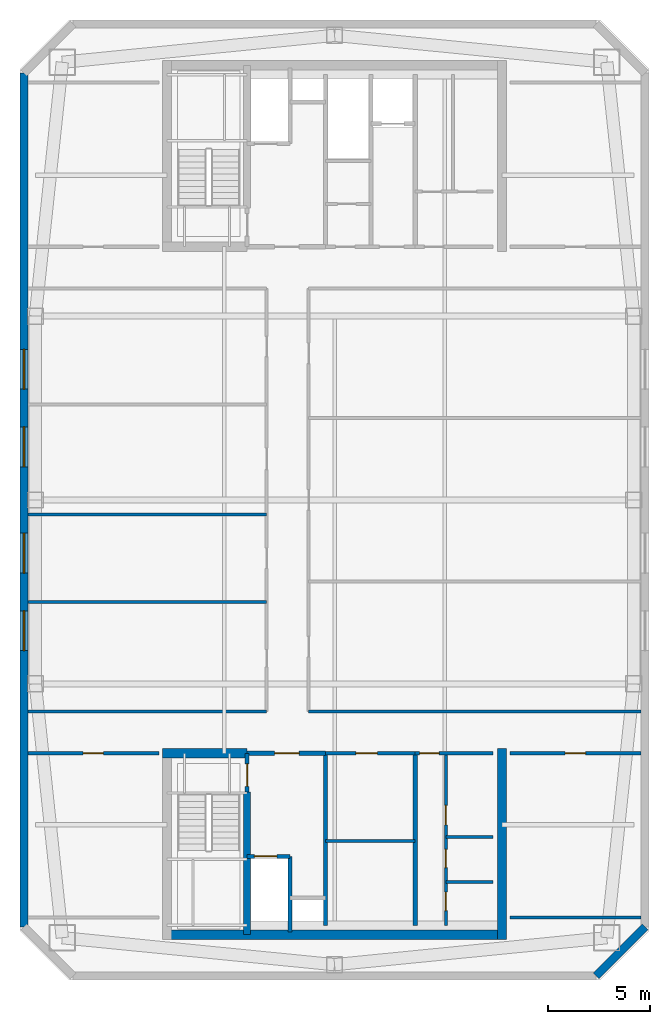
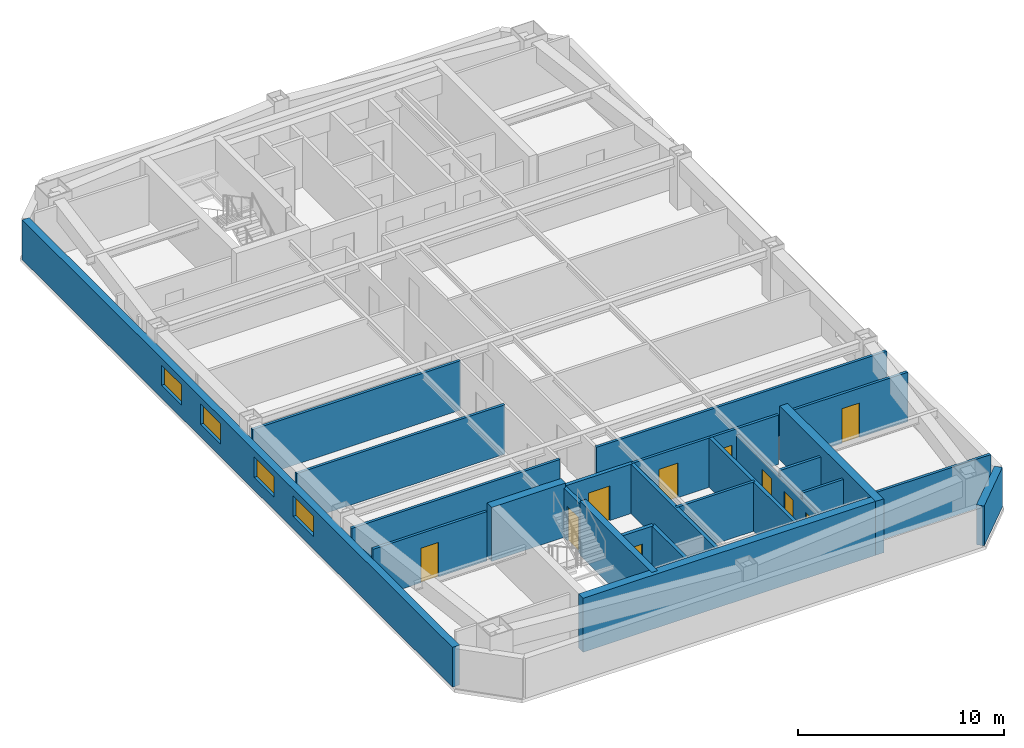
# One storey, part 2 of 5: 25 walls, 10 doors, 4 windows, 14 openings.
"""IFC4 building model written with IfcOpenShell, lengths in metres."""

from ifc_helpers import new_model, si_unit, direction, frame, frame_2d, origin, place, context, subcontext, project, spatial, rectangle, extrude, material, layer, layer_set, type_object, element, fill, save


model = new_model("IFC4")

# Units and contexts
model_context = context("Model", 3, precision=1e-05, world=origin(), true_north=direction((0.0, 1.0)))
body_context = subcontext(model_context, "Body", "Model", "MODEL_VIEW")
ifc_project = project(units=[si_unit("LENGTHUNIT", "METRE"), si_unit("AREAUNIT", "SQUARE_METRE"), si_unit("VOLUMEUNIT", "CUBIC_METRE"), si_unit("PLANEANGLEUNIT", "RADIAN"), si_unit("MASSUNIT", "GRAM", prefix="KILO")], contexts=[model_context])

# Site, building, storey
site_placement = place(None, origin())
site = spatial("IfcSite", under=ifc_project, at=site_placement, CompositionType="ELEMENT")
building_placement = place(site_placement, origin())
building = spatial("IfcBuilding", under=site, at=building_placement, Name="Qiaolan Cultural Towers", CompositionType="ELEMENT")
storey_placement = place(building_placement, frame((0.0, 0.0, 272.800048828125)))
storey = spatial("IfcBuildingStorey", under=building, at=storey_placement, Name="L75", CompositionType="ELEMENT", Elevation=272.800048828125)

# Walls
ifc_material_1 = material(Name="Concrete C50", Category="concrete")
ifc_layer_1 = layer(ifc_material_1, 0.35009765625)
ifc_layer_set_1 = layer_set([ifc_layer_1], Name="Concrete C50")
wall_type_1 = type_object("IfcWallType", Name="WL-CORE-350", PredefinedType="SHEAR", material=ifc_layer_set_1)
wall_1_placement = place(storey_placement, frame((25.719970703125, 19.699951171875, 0.0), z_axis=(0.0, 0.0, 1.0), x_axis=(0.0, -1.0, 0.0)))
element("IfcWall", 1, at=wall_1_placement, inside=storey, type_object=wall_type_1, Name="L75 T1-CS Stair Core Dividing Web", PredefinedType="SHEAR", context=body_context, shape_type="SweptSolid", body=[
    extrude(rectangle(XDim=6.97998046875, YDim=0.35009765625, at=frame_2d((3.489990234375, 0.0))), origin(), (0.0, 0.0, 1.0), 3.199951171875),
])
ifc_material_2 = material(Name="Concrete C50", Category="concrete")
ifc_layer_2 = layer(ifc_material_2, 0.449951171875)
ifc_layer_set_2 = layer_set([ifc_layer_2], Name="Concrete C50")
wall_type_2 = type_object("IfcWallType", Name="WL-CORE-450", PredefinedType="SHEAR", material=ifc_layer_set_2)
wall_2_placement = place(storey_placement, frame((21.574951171875, 12.719970703125, 0.0), z_axis=(0.0, 0.0, 1.0), x_axis=(1.0, 0.0, 0.0)))
element("IfcWall", 2, at=wall_2_placement, inside=storey, type_object=wall_type_2, Name="L75 T1-CS Outer Core Shear Wall", PredefinedType="SHEAR", context=body_context, shape_type="SweptSolid", body=[
    extrude(rectangle(XDim=16.85009765625, YDim=0.449951171875, at=frame_2d((8.425048828125, 0.0))), origin(), (0.0, 0.0, 1.0), 3.199951171875),
])
wall_3_placement = place(storey_placement, frame((38.199951171875, 21.824951171875, 0.0), z_axis=(0.0, 0.0, 1.0), x_axis=(0.0, -1.0, 0.0)))
element("IfcWall", 3, at=wall_3_placement, inside=storey, type_object=wall_type_2, Name="L75 T1-CS East Core Shear Wall", PredefinedType="SHEAR", context=body_context, shape_type="SweptSolid", body=[
    extrude(rectangle(XDim=9.329833984375, YDim=0.449951171875, at=frame_2d((4.6650390625, 0.0))), origin(), (0.0, 0.0, 1.0), 3.199951171875),
])
wall_4_placement = place(storey_placement, frame((21.574951171875, 21.60009765625, 0.0), z_axis=(0.0, 0.0, 1.0), x_axis=(1.0, 0.0, 0.0)))
element("IfcWall", 4, at=wall_4_placement, inside=storey, type_object=wall_type_2, Name="L75 T1-CS Stair Front Shear Wall", PredefinedType="SHEAR", context=body_context, shape_type="SweptSolid", body=[
    extrude(rectangle(XDim=4.14501953125, YDim=0.449951171875, at=frame_2d((2.072509765625, 0.0))), origin(), (0.0, 0.0, 1.0), 3.199951171875),
])

# Wall, openings, windows
ifc_material_3 = material(Name="Precast Concrete C50 Honed Stone Pier", Category="masonry")
ifc_layer_3 = layer(ifc_material_3, 0.39990234375)
ifc_layer_set_3 = layer_set([ifc_layer_3], Name="Precast Concrete C50 Honed Stone Pier")
wall_type_3 = type_object("IfcWallType", Name="WL-EXT-PIER-400", PredefinedType="SOLIDWALL", material=ifc_layer_set_3)
wall_5_placement = place(storey_placement, frame((14.800048828125, 13.10009765625, 0.0), z_axis=(0.0, 0.0, 1.0), x_axis=(0.0, 1.0, 0.0)))
wall_5 = element("IfcWall", 5, at=wall_5_placement, inside=storey, type_object=wall_type_3, Name="L75 West Tower Precast Pier Facade Wall F1", PredefinedType="SOLIDWALL", context=body_context, shape_type="SweptSolid", body=[
    extrude(rectangle(XDim=41.7998046875, YDim=0.39990234375, at=frame_2d((20.89990234375, 0.0))), origin(), (0.0, 0.0, 1.0), 2.35986328125),
])
opening_1_placement = place(wall_5_placement, frame((13.52490234375, 0.0, 0.75)))
opening_1 = element("IfcOpeningElement", 6, at=opening_1_placement, cuts=wall_5, Name="Opening W-06", PredefinedType="OPENING", context=body_context, shape_type="SweptSolid", body=[
    extrude(rectangle(XDim=1.949951171875, YDim=1.2099609375, at=frame_2d((0.97509765625, 0.60498046875))), frame((0.0, 0.2099609375, 0.0), z_axis=(0.0, -1.0, 0.0), x_axis=(1.0, 0.0, 0.0)), (0.0, 0.0, 1.0), 0.419921875),
])
opening_2_placement = place(wall_5_placement, frame((17.324951171875, 0.0, 0.75)))
opening_2 = element("IfcOpeningElement", 7, at=opening_2_placement, cuts=wall_5, Name="Opening W-06", PredefinedType="OPENING", context=body_context, shape_type="SweptSolid", body=[
    extrude(rectangle(XDim=1.949951171875, YDim=1.2099609375, at=frame_2d((0.97509765625, 0.60498046875))), frame((0.0, 0.2099609375, 0.0), z_axis=(0.0, -1.0, 0.0), x_axis=(1.0, 0.0, 0.0)), (0.0, 0.0, 1.0), 0.419921875),
])
opening_3_placement = place(wall_5_placement, frame((22.52490234375, 0.0, 0.75)))
opening_3 = element("IfcOpeningElement", 8, at=opening_3_placement, cuts=wall_5, Name="Opening W-06", PredefinedType="OPENING", context=body_context, shape_type="SweptSolid", body=[
    extrude(rectangle(XDim=1.949951171875, YDim=1.2099609375, at=frame_2d((0.97509765625, 0.60498046875))), frame((0.0, 0.2099609375, 0.0), z_axis=(0.0, -1.0, 0.0), x_axis=(1.0, 0.0, 0.0)), (0.0, 0.0, 1.0), 0.419921875),
])
opening_4_placement = place(wall_5_placement, frame((26.324951171875, 0.0, 0.75)))
opening_4 = element("IfcOpeningElement", 9, at=opening_4_placement, cuts=wall_5, Name="Opening W-06", PredefinedType="OPENING", context=body_context, shape_type="SweptSolid", body=[
    extrude(rectangle(XDim=1.949951171875, YDim=1.2099609375, at=frame_2d((0.97509765625, 0.60498046875))), frame((0.0, 0.2099609375, 0.0), z_axis=(0.0, -1.0, 0.0), x_axis=(1.0, 0.0, 0.0)), (0.0, 0.0, 1.0), 0.419921875),
])
ifc_material_4 = material(Name="Thermally Broken Aluminium Triple Low-E Glazing", Category="aluminium")
window_type = type_object("IfcWindowType", Name="WN-CHIC-1950", PartitioningType="SINGLE_PANEL", PredefinedType="WINDOW", material=ifc_material_4)
window_1_placement = place(opening_1_placement, origin())
window_1 = element("IfcWindow", 10, at=window_1_placement, inside=storey, type_object=window_type, Name="L75 T1 W Chicago Bay Window 1", OverallHeight=1.2099609375, OverallWidth=1.949951171875, PartitioningType="TRIPLE_PANEL_VERTICAL", PredefinedType="WINDOW", context=body_context, shape_type="SweptSolid", body=[
    extrude(rectangle(XDim=1.949951171875, YDim=1.2099609375, at=frame_2d((0.97509765625, 0.60498046875))), frame((0.0, 0.030029296875, 0.0), z_axis=(0.0, -1.0, 0.0), x_axis=(1.0, 0.0, 0.0)), (0.0, 0.0, 1.0), 0.06005859375),
])
fill(opening_1, window_1)
window_2_placement = place(opening_2_placement, origin())
window_2 = element("IfcWindow", 11, at=window_2_placement, inside=storey, type_object=window_type, Name="L75 T1 W Chicago Bay Window 2", OverallHeight=1.2099609375, OverallWidth=1.949951171875, PartitioningType="TRIPLE_PANEL_VERTICAL", PredefinedType="WINDOW", context=body_context, shape_type="SweptSolid", body=[
    extrude(rectangle(XDim=1.949951171875, YDim=1.2099609375, at=frame_2d((0.97509765625, 0.60498046875))), frame((0.0, 0.030029296875, 0.0), z_axis=(0.0, -1.0, 0.0), x_axis=(1.0, 0.0, 0.0)), (0.0, 0.0, 1.0), 0.06005859375),
])
fill(opening_2, window_2)
window_3_placement = place(opening_3_placement, origin())
window_3 = element("IfcWindow", 12, at=window_3_placement, inside=storey, type_object=window_type, Name="L75 T1 W Chicago Bay Window 3", OverallHeight=1.2099609375, OverallWidth=1.949951171875, PartitioningType="TRIPLE_PANEL_VERTICAL", PredefinedType="WINDOW", context=body_context, shape_type="SweptSolid", body=[
    extrude(rectangle(XDim=1.949951171875, YDim=1.2099609375, at=frame_2d((0.97509765625, 0.60498046875))), frame((0.0, 0.030029296875, 0.0), z_axis=(0.0, -1.0, 0.0), x_axis=(1.0, 0.0, 0.0)), (0.0, 0.0, 1.0), 0.06005859375),
])
fill(opening_3, window_3)
window_4_placement = place(opening_4_placement, origin())
window_4 = element("IfcWindow", 13, at=window_4_placement, inside=storey, type_object=window_type, Name="L75 T1 W Chicago Bay Window 4", OverallHeight=1.2099609375, OverallWidth=1.949951171875, PartitioningType="TRIPLE_PANEL_VERTICAL", PredefinedType="WINDOW", context=body_context, shape_type="SweptSolid", body=[
    extrude(rectangle(XDim=1.949951171875, YDim=1.2099609375, at=frame_2d((0.97509765625, 0.60498046875))), frame((0.0, 0.030029296875, 0.0), z_axis=(0.0, -1.0, 0.0), x_axis=(1.0, 0.0, 0.0)), (0.0, 0.0, 1.0), 0.06005859375),
])
fill(opening_4, window_4)

# Wall
wall_6_placement = place(storey_placement, frame((45.199951171875, 13.10009765625, 0.0), z_axis=(0.0, 0.0, 1.0), x_axis=(-0.707070815327, -0.707142745217, 0.0)))
element("IfcWall", 14, at=wall_6_placement, inside=storey, type_object=wall_type_3, Name="L75 West Tower Precast Pier Facade Wall F6", PredefinedType="SOLIDWALL", context=body_context, shape_type="SweptSolid", body=[
    extrude(rectangle(XDim=3.39404296875, YDim=0.39990234375, at=frame_2d((1.697021484375, 0.0))), origin(), (0.0, 0.0, 1.0), 2.35986328125),
])

# Wall, opening, door
ifc_material_5 = material(Name="Concrete C35 Fire Wall", Category="concrete")
ifc_layer_4 = layer(ifc_material_5, 0.199951171875)
ifc_layer_set_4 = layer_set([ifc_layer_4], Name="Concrete C35 Fire Wall")
wall_type_4 = type_object("IfcWallType", Name="WL-FIRE-200", PredefinedType="PARTITIONING", material=ifc_layer_set_4)
wall_7_placement = place(storey_placement, frame((25.719970703125, 21.60009765625, 0.0), z_axis=(0.0, 0.0, 1.0), x_axis=(0.0, -1.0, 0.0)))
wall_7 = element("IfcWall", 15, at=wall_7_placement, inside=storey, type_object=wall_type_4, Name="L75 T1-CS Smokeproof Stair Entry Wall", PredefinedType="PARTITIONING", context=body_context, shape_type="SweptSolid", body=[
    extrude(rectangle(XDim=1.900146484375, YDim=0.199951171875, at=frame_2d((0.9501953125, 0.0))), origin(), (0.0, 0.0, 1.0), 2.925048828125),
])
opening_5_placement = place(wall_7_placement, frame((0.52001953125, 0.0, 0.0)))
opening_5 = element("IfcOpeningElement", 16, at=opening_5_placement, cuts=wall_7, Name="Opening FD-04", PredefinedType="OPENING", context=body_context, shape_type="SweptSolid", body=[
    extrude(rectangle(XDim=1.10009765625, YDim=2.050048828125, at=frame_2d((0.550048828125, 1.02490234375))), frame((0.0, 0.10986328125, 0.0), z_axis=(0.0, -1.0, 0.0), x_axis=(1.0, 0.0, 0.0)), (0.0, 0.0, 1.0), 0.219970703125),
])
ifc_material_6 = material(Name="Galvanized Steel Command Fire Door", Category="steel")
door_type_1 = type_object("IfcDoorType", Name="DR-FD90-1100", OperationType="NOTDEFINED", PredefinedType="DOOR", material=ifc_material_6)
door_1_placement = place(opening_5_placement, origin())
door_1 = element("IfcDoor", 17, at=door_1_placement, inside=storey, type_object=door_type_1, Name="L75 ST-W1 Smokeproof Stair Fire Door", OperationType="SINGLE_SWING_LEFT", OverallHeight=2.050048828125, OverallWidth=1.10009765625, PredefinedType="DOOR", context=body_context, shape_type="SweptSolid", body=[
    extrude(rectangle(XDim=1.10009765625, YDim=2.050048828125, at=frame_2d((0.550048828125, 1.02490234375))), frame((0.0, 0.02490234375, 0.0), z_axis=(0.0, -1.0, 0.0), x_axis=(1.0, 0.0, 0.0)), (0.0, 0.0, 1.0), 0.050048828125),
])
fill(opening_5, door_1)

# Wall
wall_8_placement = place(storey_placement, frame((29.550048828125, 21.60009765625, 0.0), z_axis=(0.0, 0.0, 1.0), x_axis=(0.0, -1.0, 0.0)))
element("IfcWall", 18, at=wall_8_placement, inside=storey, type_object=wall_type_4, Name="L75 T1-CS Firefighting Zone Wall", PredefinedType="PARTITIONING", context=body_context, shape_type="SweptSolid", body=[
    extrude(rectangle(XDim=8.43017578125, YDim=0.199951171875, at=frame_2d((4.215087890625, 0.0))), origin(), (0.0, 0.0, 1.0), 2.925048828125),
])

# Wall, opening, door
wall_9_placement = place(storey_placement, frame((25.719970703125, 21.60009765625, 0.0), z_axis=(0.0, 0.0, 1.0), x_axis=(1.0, 0.0, 0.0)))
wall_9 = element("IfcWall", 19, at=wall_9_placement, inside=storey, type_object=wall_type_4, Name="L75 T1-CS Firefighting Lobby Front Wall", PredefinedType="PARTITIONING", context=body_context, shape_type="SweptSolid", body=[
    extrude(rectangle(XDim=3.830078125, YDim=0.199951171875, at=frame_2d((1.9150390625, 0.0))), origin(), (0.0, 0.0, 1.0), 2.925048828125),
])
opening_6_placement = place(wall_9_placement, frame((1.35009765625, 0.0, 0.0)))
opening_6 = element("IfcOpeningElement", 20, at=opening_6_placement, cuts=wall_9, Name="Opening FD-03", PredefinedType="OPENING", context=body_context, shape_type="SweptSolid", body=[
    extrude(rectangle(XDim=1.199951171875, YDim=2.050048828125, at=frame_2d((0.60009765625, 1.02490234375))), frame((0.0, 0.10986328125, 0.0), z_axis=(0.0, -1.0, 0.0), x_axis=(1.0, 0.0, 0.0)), (0.0, 0.0, 1.0), 0.219970703125),
])
ifc_material_7 = material(Name="Galvanized Steel Smokeproof Lobby Fire Door", Category="steel")
door_type_2 = type_object("IfcDoorType", Name="DR-FD90-1200", OperationType="NOTDEFINED", PredefinedType="DOOR", material=ifc_material_7)
door_2_placement = place(opening_6_placement, origin())
door_2 = element("IfcDoor", 21, at=door_2_placement, inside=storey, type_object=door_type_2, Name="L75 FFL-W1 Firefighting Lobby Fire Door", OperationType="SINGLE_SWING_LEFT", OverallHeight=2.050048828125, OverallWidth=1.199951171875, PredefinedType="DOOR", context=body_context, shape_type="SweptSolid", body=[
    extrude(rectangle(XDim=1.199951171875, YDim=2.050048828125, at=frame_2d((0.60009765625, 1.02490234375))), frame((0.0, 0.02490234375, 0.0), z_axis=(0.0, -1.0, 0.0), x_axis=(1.0, 0.0, 0.0)), (0.0, 0.0, 1.0), 0.050048828125),
])
fill(opening_6, door_2)

wall_10_placement = place(storey_placement, frame((25.719970703125, 16.550048828125, 0.0), z_axis=(0.0, 0.0, 1.0), x_axis=(1.0, 0.0, 0.0)))
wall_10 = element("IfcWall", 22, at=wall_10_placement, inside=storey, type_object=wall_type_4, Name="L75 T1-CS Firefighting Shaft Front Wall", PredefinedType="PARTITIONING", context=body_context, shape_type="SweptSolid", body=[
    extrude(rectangle(XDim=2.10009765625, YDim=0.199951171875, at=frame_2d((1.050048828125, 0.0))), origin(), (0.0, 0.0, 1.0), 2.925048828125),
])
opening_7_placement = place(wall_10_placement, frame((0.35009765625, 0.0, 0.0)))
opening_7 = element("IfcOpeningElement", 23, at=opening_7_placement, cuts=wall_10, Name="Opening LD-01", PredefinedType="OPENING", context=body_context, shape_type="SweptSolid", body=[
    extrude(rectangle(XDim=1.10009765625, YDim=2.050048828125, at=frame_2d((0.550048828125, 1.02490234375))), frame((0.0, 0.10986328125, 0.0), z_axis=(0.0, -1.0, 0.0), x_axis=(1.0, 0.0, 0.0)), (0.0, 0.0, 1.0), 0.219970703125),
])
ifc_material_8 = material(Name="Brushed Stainless Steel S30408 Centre-Parting Lift Landing Door", Category="steel")
door_type_3 = type_object("IfcDoorType", Name="DR-LIFT-1100", OperationType="NOTDEFINED", PredefinedType="DOOR", material=ifc_material_8)
door_3_placement = place(opening_7_placement, origin())
door_3 = element("IfcDoor", 24, at=door_3_placement, inside=storey, type_object=door_type_3, Name="L75 FFL-W1 Firefighting Lift Landing Door", OperationType="DOUBLE_DOOR_SLIDING", OverallHeight=2.050048828125, OverallWidth=1.10009765625, PredefinedType="DOOR", context=body_context, shape_type="SweptSolid", body=[
    extrude(rectangle(XDim=1.10009765625, YDim=2.050048828125, at=frame_2d((0.550048828125, 1.02490234375))), frame((0.0, 0.02490234375, 0.0), z_axis=(0.0, -1.0, 0.0), x_axis=(1.0, 0.0, 0.0)), (0.0, 0.0, 1.0), 0.050048828125),
])
fill(opening_7, door_3)

# Walls
wall_11_placement = place(storey_placement, frame((27.820068359375, 16.550048828125, 0.0), z_axis=(0.0, 0.0, 1.0), x_axis=(0.0, -1.0, 0.0)))
element("IfcWall", 25, at=wall_11_placement, inside=storey, type_object=wall_type_4, Name="L75 T1-CS Firefighting Hoistway East Wall", PredefinedType="PARTITIONING", context=body_context, shape_type="SweptSolid", body=[
    extrude(rectangle(XDim=3.699951171875, YDim=0.199951171875, at=frame_2d((1.85009765625, 0.0))), origin(), (0.0, 0.0, 1.0), 2.925048828125),
])
wall_12_placement = place(storey_placement, frame((33.949951171875, 21.60009765625, 0.0), z_axis=(0.0, 0.0, 1.0), x_axis=(0.0, -1.0, 0.0)))
element("IfcWall", 26, at=wall_12_placement, inside=storey, type_object=wall_type_4, Name="L75 T1-CS Lift Core East Wall", PredefinedType="PARTITIONING", context=body_context, shape_type="SweptSolid", body=[
    extrude(rectangle(XDim=8.43017578125, YDim=0.199951171875, at=frame_2d((4.215087890625, 0.0))), origin(), (0.0, 0.0, 1.0), 2.925048828125),
])

# Wall, opening, door
ifc_material_9 = material(Name="Autoclaved Aerated Concrete Block B06", Category="concrete")
ifc_layer_5 = layer(ifc_material_9, 0.14990234375)
ifc_layer_set_5 = layer_set([ifc_layer_5], Name="Autoclaved Aerated Concrete Block B06")
wall_type_5 = type_object("IfcWallType", Name="WL-PART-150", PredefinedType="PARTITIONING", material=ifc_layer_set_5)
wall_13_placement = place(storey_placement, frame((29.550048828125, 21.60009765625, 0.0), z_axis=(0.0, 0.0, 1.0), x_axis=(1.0, 0.0, 0.0)))
wall_13 = element("IfcWall", 27, at=wall_13_placement, inside=storey, type_object=wall_type_5, Name="L75 T1-CS Reclaimed Core Room Front Wall", PredefinedType="PARTITIONING", context=body_context, shape_type="SweptSolid", body=[
    extrude(rectangle(XDim=4.39990234375, YDim=0.14990234375, at=frame_2d((2.199951171875, 0.0))), origin(), (0.0, 0.0, 1.0), 2.925048828125),
])
opening_8_placement = place(wall_13_placement, frame((1.5, 0.0, 0.0)))
opening_8 = element("IfcOpeningElement", 28, at=opening_8_placement, cuts=wall_13, Name="Opening ID-07", PredefinedType="OPENING", context=body_context, shape_type="SweptSolid", body=[
    extrude(rectangle(XDim=1.050048828125, YDim=2.050048828125, at=frame_2d((0.52490234375, 1.02490234375))), frame((0.0, 0.0849609375, 0.0), z_axis=(0.0, -1.0, 0.0), x_axis=(1.0, 0.0, 0.0)), (0.0, 0.0, 1.0), 0.169921875),
])
ifc_material_10 = material(Name="Oak Veneer Consultation Door", Category="timber")
door_type_4 = type_object("IfcDoorType", Name="DR-INT-1050", OperationType="NOTDEFINED", PredefinedType="DOOR", material=ifc_material_10)
door_4_placement = place(opening_8_placement, origin())
door_4 = element("IfcDoor", 29, at=door_4_placement, inside=storey, type_object=door_type_4, Name="L75 Focus Pod Room Door", OperationType="SINGLE_SWING_LEFT", OverallHeight=2.050048828125, OverallWidth=1.050048828125, PredefinedType="DOOR", context=body_context, shape_type="SweptSolid", body=[
    extrude(rectangle(XDim=1.050048828125, YDim=2.050048828125, at=frame_2d((0.52490234375, 1.02490234375))), frame((0.0, 0.02490234375, 0.0), z_axis=(0.0, -1.0, 0.0), x_axis=(1.0, 0.0, 0.0)), (0.0, 0.0, 1.0), 0.050048828125),
])
fill(opening_8, door_4)

# Wall
wall_14_placement = place(storey_placement, frame((29.550048828125, 17.300048828125, 0.0), z_axis=(0.0, 0.0, 1.0), x_axis=(1.0, 0.0, 0.0)))
element("IfcWall", 30, at=wall_14_placement, inside=storey, type_object=wall_type_5, Name="L75 T1-CS Reclaimed Room Subdivider", PredefinedType="PARTITIONING", context=body_context, shape_type="SweptSolid", body=[
    extrude(rectangle(XDim=4.39990234375, YDim=0.14990234375, at=frame_2d((2.199951171875, 0.0))), origin(), (0.0, 0.0, 1.0), 2.925048828125),
])

# Wall, opening, door
wall_15_placement = place(storey_placement, frame((33.949951171875, 21.60009765625, 0.0), z_axis=(0.0, 0.0, 1.0), x_axis=(1.0, 0.0, 0.0)))
wall_15 = element("IfcWall", 31, at=wall_15_placement, inside=storey, type_object=wall_type_5, Name="L75 T1-CS Sanitary Core Front Wall", PredefinedType="PARTITIONING", context=body_context, shape_type="SweptSolid", body=[
    extrude(rectangle(XDim=3.800048828125, YDim=0.14990234375, at=frame_2d((1.89990234375, 0.0))), origin(), (0.0, 0.0, 1.0), 2.925048828125),
])
opening_9_placement = place(wall_15_placement, frame((0.219970703125, 0.0, 0.0)))
opening_9 = element("IfcOpeningElement", 32, at=opening_9_placement, cuts=wall_15, Name="Opening ID-05", PredefinedType="OPENING", context=body_context, shape_type="SweptSolid", body=[
    extrude(rectangle(XDim=0.949951171875, YDim=2.050048828125, at=frame_2d((0.47509765625, 1.02490234375))), frame((0.0, 0.0849609375, 0.0), z_axis=(0.0, -1.0, 0.0), x_axis=(1.0, 0.0, 0.0)), (0.0, 0.0, 1.0), 0.169921875),
])
ifc_material_11 = material(Name="Fire-Rated Laminate Accessible Core Door", Category="timber")
door_type_5 = type_object("IfcDoorType", Name="DR-INT-950", OperationType="NOTDEFINED", PredefinedType="DOOR", material=ifc_material_11)
door_5_placement = place(opening_9_placement, origin())
door_5 = element("IfcDoor", 33, at=door_5_placement, inside=storey, type_object=door_type_5, Name="L75 Sanitary Vestibule Door", OperationType="SINGLE_SWING_LEFT", OverallHeight=2.050048828125, OverallWidth=0.949951171875, PredefinedType="DOOR", context=body_context, shape_type="SweptSolid", body=[
    extrude(rectangle(XDim=0.949951171875, YDim=2.050048828125, at=frame_2d((0.47509765625, 1.02490234375))), frame((0.0, 0.02490234375, 0.0), z_axis=(0.0, -1.0, 0.0), x_axis=(1.0, 0.0, 0.0)), (0.0, 0.0, 1.0), 0.050048828125),
])
fill(opening_9, door_5)

# Wall, openings, doors
wall_16_placement = place(storey_placement, frame((35.449951171875, 21.60009765625, 0.0), z_axis=(0.0, 0.0, 1.0), x_axis=(0.0, -1.0, 0.0)))
wall_16 = element("IfcWall", 34, at=wall_16_placement, inside=storey, type_object=wall_type_5, Name="L75 T1-CS Sanitary Vestibule Wall", PredefinedType="PARTITIONING", context=body_context, shape_type="SweptSolid", body=[
    extrude(rectangle(XDim=8.43017578125, YDim=0.14990234375, at=frame_2d((4.215087890625, 0.0))), origin(), (0.0, 0.0, 1.0), 2.56494140625),
])
opening_10_placement = place(wall_16_placement, frame((2.550048828125, 0.0, 0.0)))
opening_10 = element("IfcOpeningElement", 35, at=opening_10_placement, cuts=wall_16, Name="Opening ID-05", PredefinedType="OPENING", context=body_context, shape_type="SweptSolid", body=[
    extrude(rectangle(XDim=0.949951171875, YDim=2.050048828125, at=frame_2d((0.47509765625, 1.02490234375))), frame((0.0, 0.0849609375, 0.0), z_axis=(0.0, -1.0, 0.0), x_axis=(1.0, 0.0, 0.0)), (0.0, 0.0, 1.0), 0.169921875),
])
opening_11_placement = place(wall_16_placement, frame((4.699951171875, 0.0, 0.0)))
opening_11 = element("IfcOpeningElement", 36, at=opening_11_placement, cuts=wall_16, Name="Opening ID-06", PredefinedType="OPENING", context=body_context, shape_type="SweptSolid", body=[
    extrude(rectangle(XDim=0.89990234375, YDim=2.050048828125, at=frame_2d((0.449951171875, 1.02490234375))), frame((0.0, 0.0849609375, 0.0), z_axis=(0.0, -1.0, 0.0), x_axis=(1.0, 0.0, 0.0)), (0.0, 0.0, 1.0), 0.169921875),
])
opening_12_placement = place(wall_16_placement, frame((6.800048828125, 0.0, 0.0)))
opening_12 = element("IfcOpeningElement", 37, at=opening_12_placement, cuts=wall_16, Name="Opening ID-06", PredefinedType="OPENING", context=body_context, shape_type="SweptSolid", body=[
    extrude(rectangle(XDim=0.89990234375, YDim=2.050048828125, at=frame_2d((0.449951171875, 1.02490234375))), frame((0.0, 0.0849609375, 0.0), z_axis=(0.0, -1.0, 0.0), x_axis=(1.0, 0.0, 0.0)), (0.0, 0.0, 1.0), 0.169921875),
])
ifc_material_12 = material(Name="Fire-Rated Laminate Core Service Door", Category="timber")
door_type_6 = type_object("IfcDoorType", Name="DR-INT-900", OperationType="NOTDEFINED", PredefinedType="DOOR", material=ifc_material_12)
door_6_placement = place(opening_11_placement, origin())
door_6 = element("IfcDoor", 38, at=door_6_placement, inside=storey, type_object=door_type_6, Name="L75 Men Washroom Door", OperationType="SINGLE_SWING_LEFT", OverallHeight=2.050048828125, OverallWidth=0.89990234375, PredefinedType="DOOR", context=body_context, shape_type="SweptSolid", body=[
    extrude(rectangle(XDim=0.89990234375, YDim=2.050048828125, at=frame_2d((0.449951171875, 1.02490234375))), frame((0.0, 0.02490234375, 0.0), z_axis=(0.0, -1.0, 0.0), x_axis=(1.0, 0.0, 0.0)), (0.0, 0.0, 1.0), 0.050048828125),
])
fill(opening_11, door_6)
door_7_placement = place(opening_12_placement, origin())
door_7 = element("IfcDoor", 39, at=door_7_placement, inside=storey, type_object=door_type_6, Name="L75 Women Washroom Door", OperationType="SINGLE_SWING_RIGHT", OverallHeight=2.050048828125, OverallWidth=0.89990234375, PredefinedType="DOOR", context=body_context, shape_type="SweptSolid", body=[
    extrude(rectangle(XDim=0.89990234375, YDim=2.050048828125, at=frame_2d((0.449951171875, 1.02490234375))), frame((0.0, 0.02490234375, 0.0), z_axis=(0.0, -1.0, 0.0), x_axis=(1.0, 0.0, 0.0)), (0.0, 0.0, 1.0), 0.050048828125),
])
fill(opening_12, door_7)
door_8_placement = place(opening_10_placement, origin())
door_8 = element("IfcDoor", 40, at=door_8_placement, inside=storey, type_object=door_type_5, Name="L75 Accessible Family Washroom Door", OperationType="SINGLE_SWING_LEFT", OverallHeight=2.050048828125, OverallWidth=0.949951171875, PredefinedType="DOOR", context=body_context, shape_type="SweptSolid", body=[
    extrude(rectangle(XDim=0.949951171875, YDim=2.050048828125, at=frame_2d((0.47509765625, 1.02490234375))), frame((0.0, 0.02490234375, 0.0), z_axis=(0.0, -1.0, 0.0), x_axis=(1.0, 0.0, 0.0)), (0.0, 0.0, 1.0), 0.050048828125),
])
fill(opening_10, door_8)

# Walls
for number, where, z_axis, x_axis, name in (
    (41, (35.449951171875, 17.5, 0.0), (0.0, 0.0, 1.0), (1.0, 0.0, 0.0), "L75 T1-CS Restroom Split Wall 1"),
    (42, (35.449951171875, 15.300048828125, 0.0), (0.0, 0.0, 1.0), (1.0, 0.0, 0.0), "L75 T1-CS Restroom Split Wall 2"),
):
    element("IfcWall", number, at=place(storey_placement, frame(where, z_axis=z_axis, x_axis=x_axis)), inside=storey, type_object=wall_type_5, Name=name, PredefinedType="PARTITIONING", context=body_context, shape_type="SweptSolid", body=[
        extrude(rectangle(XDim=2.300048828125, YDim=0.14990234375, at=frame_2d((1.14990234375, 0.0))), origin(), (0.0, 0.0, 1.0), 2.925048828125),
    ])

# Wall, opening, door
wall_17_placement = place(storey_placement, frame((15.0, 21.60009765625, 0.0), z_axis=(0.0, 0.0, 1.0), x_axis=(1.0, 0.0, 0.0)))
wall_17 = element("IfcWall", 43, at=wall_17_placement, inside=storey, type_object=wall_type_5, Name="L75 T1 Flank Front FLK-SW", PredefinedType="PARTITIONING", context=body_context, shape_type="SweptSolid", body=[
    extrude(rectangle(XDim=6.39990234375, YDim=0.14990234375, at=frame_2d((3.199951171875, 0.0))), origin(), (0.0, 0.0, 1.0), 2.925048828125),
])
opening_13_placement = place(wall_17_placement, frame((2.68798828125, 0.0, 0.0)))
opening_13 = element("IfcOpeningElement", 44, at=opening_13_placement, cuts=wall_17, Name="Opening ID-04", PredefinedType="OPENING", context=body_context, shape_type="SweptSolid", body=[
    extrude(rectangle(XDim=1.0, YDim=2.050048828125, at=frame_2d((0.5, 1.02490234375))), frame((0.0, 0.0849609375, 0.0), z_axis=(0.0, -1.0, 0.0), x_axis=(1.0, 0.0, 0.0)), (0.0, 0.0, 1.0), 0.169921875),
])
ifc_material_13 = material(Name="Oak Veneer Acoustic Office Door", Category="timber")
door_type_7 = type_object("IfcDoorType", Name="DR-INT-1000", OperationType="NOTDEFINED", PredefinedType="DOOR", material=ifc_material_13)
door_9_placement = place(opening_13_placement, origin())
door_9 = element("IfcDoor", 45, at=door_9_placement, inside=storey, type_object=door_type_7, Name="L75 T1 Corner Studio Door", OperationType="SINGLE_SWING_LEFT", OverallHeight=2.050048828125, OverallWidth=1.0, PredefinedType="DOOR", context=body_context, shape_type="SweptSolid", body=[
    extrude(rectangle(XDim=1.0, YDim=2.050048828125, at=frame_2d((0.5, 1.02490234375))), frame((0.0, 0.02490234375, 0.0), z_axis=(0.0, -1.0, 0.0), x_axis=(1.0, 0.0, 0.0)), (0.0, 0.0, 1.0), 0.050048828125),
])
fill(opening_13, door_9)

# Wall
wall_18_placement = place(storey_placement, frame((38.60009765625, 13.550048828125, 0.0), z_axis=(0.0, 0.0, 1.0), x_axis=(1.0, 0.0, 0.0)))
element("IfcWall", 46, at=wall_18_placement, inside=storey, type_object=wall_type_5, Name="L75 T1 Flank Wall FLK-SE", PredefinedType="PARTITIONING", context=body_context, shape_type="SweptSolid", body=[
    extrude(rectangle(XDim=6.39990234375, YDim=0.14990234375, at=frame_2d((3.199951171875, 0.0))), origin(), (0.0, 0.0, 1.0), 2.925048828125),
])

# Wall, opening, door
wall_19_placement = place(storey_placement, frame((38.60009765625, 21.60009765625, 0.0), z_axis=(0.0, 0.0, 1.0), x_axis=(1.0, 0.0, 0.0)))
wall_19 = element("IfcWall", 47, at=wall_19_placement, inside=storey, type_object=wall_type_5, Name="L75 T1 Flank Front FLK-SE", PredefinedType="PARTITIONING", context=body_context, shape_type="SweptSolid", body=[
    extrude(rectangle(XDim=6.39990234375, YDim=0.14990234375, at=frame_2d((3.199951171875, 0.0))), origin(), (0.0, 0.0, 1.0), 2.925048828125),
])
opening_14_placement = place(wall_19_placement, frame((2.68798828125, 0.0, 0.0)))
opening_14 = element("IfcOpeningElement", 48, at=opening_14_placement, cuts=wall_19, Name="Opening ID-04", PredefinedType="OPENING", context=body_context, shape_type="SweptSolid", body=[
    extrude(rectangle(XDim=1.0, YDim=2.050048828125, at=frame_2d((0.5, 1.02490234375))), frame((0.0, 0.0849609375, 0.0), z_axis=(0.0, -1.0, 0.0), x_axis=(1.0, 0.0, 0.0)), (0.0, 0.0, 1.0), 0.169921875),
])
door_10_placement = place(opening_14_placement, origin())
door_10 = element("IfcDoor", 49, at=door_10_placement, inside=storey, type_object=door_type_7, Name="L75 T1 Corner Studio Door", OperationType="SINGLE_SWING_LEFT", OverallHeight=2.050048828125, OverallWidth=1.0, PredefinedType="DOOR", context=body_context, shape_type="SweptSolid", body=[
    extrude(rectangle(XDim=1.0, YDim=2.050048828125, at=frame_2d((0.5, 1.02490234375))), frame((0.0, 0.02490234375, 0.0), z_axis=(0.0, -1.0, 0.0), x_axis=(1.0, 0.0, 0.0)), (0.0, 0.0, 1.0), 0.050048828125),
])
fill(opening_14, door_10)

# Walls
wall_20_placement = place(storey_placement, frame((15.0, 23.64990234375, 0.0), z_axis=(0.0, 0.0, 1.0), x_axis=(1.0, 0.0, 0.0)))
element("IfcWall", 50, at=wall_20_placement, inside=storey, type_object=wall_type_5, Name="L75 T1 South Corridor Left Wall", PredefinedType="PARTITIONING", context=body_context, shape_type="SweptSolid", body=[
    extrude(rectangle(XDim=11.675048828125, YDim=0.14990234375, at=frame_2d((5.83740234375, 0.0))), origin(), (0.0, 0.0, 1.0), 2.925048828125),
])
wall_21_placement = place(storey_placement, frame((28.72509765625, 23.64990234375, 0.0), z_axis=(0.0, 0.0, 1.0), x_axis=(1.0, 0.0, 0.0)))
element("IfcWall", 51, at=wall_21_placement, inside=storey, type_object=wall_type_5, Name="L75 T1 South Corridor Right Wall", PredefinedType="PARTITIONING", context=body_context, shape_type="SweptSolid", body=[
    extrude(rectangle(XDim=16.27490234375, YDim=0.14990234375, at=frame_2d((8.137451171875, 0.0))), origin(), (0.0, 0.0, 1.0), 2.925048828125),
])
for number, where, z_axis, x_axis, name in (
    (52, (15.0, 29.0, 0.0), (0.0, 0.0, 1.0), (1.0, 0.0, 0.0), "L75 T1 West Partition 1"),
    (53, (15.0, 33.297119140625, 0.0), (0.0, 0.0, 1.0), (1.0, 0.0, 0.0), "L75 T1 West Partition 2"),
):
    element("IfcWall", number, at=place(storey_placement, frame(where, z_axis=z_axis, x_axis=x_axis)), inside=storey, type_object=wall_type_5, Name=name, PredefinedType="PARTITIONING", context=body_context, shape_type="SweptSolid", body=[
        extrude(rectangle(XDim=11.675048828125, YDim=0.14990234375, at=frame_2d((5.83740234375, 0.0))), origin(), (0.0, 0.0, 1.0), 2.925048828125),
    ])

save(model, "model.ifc")
